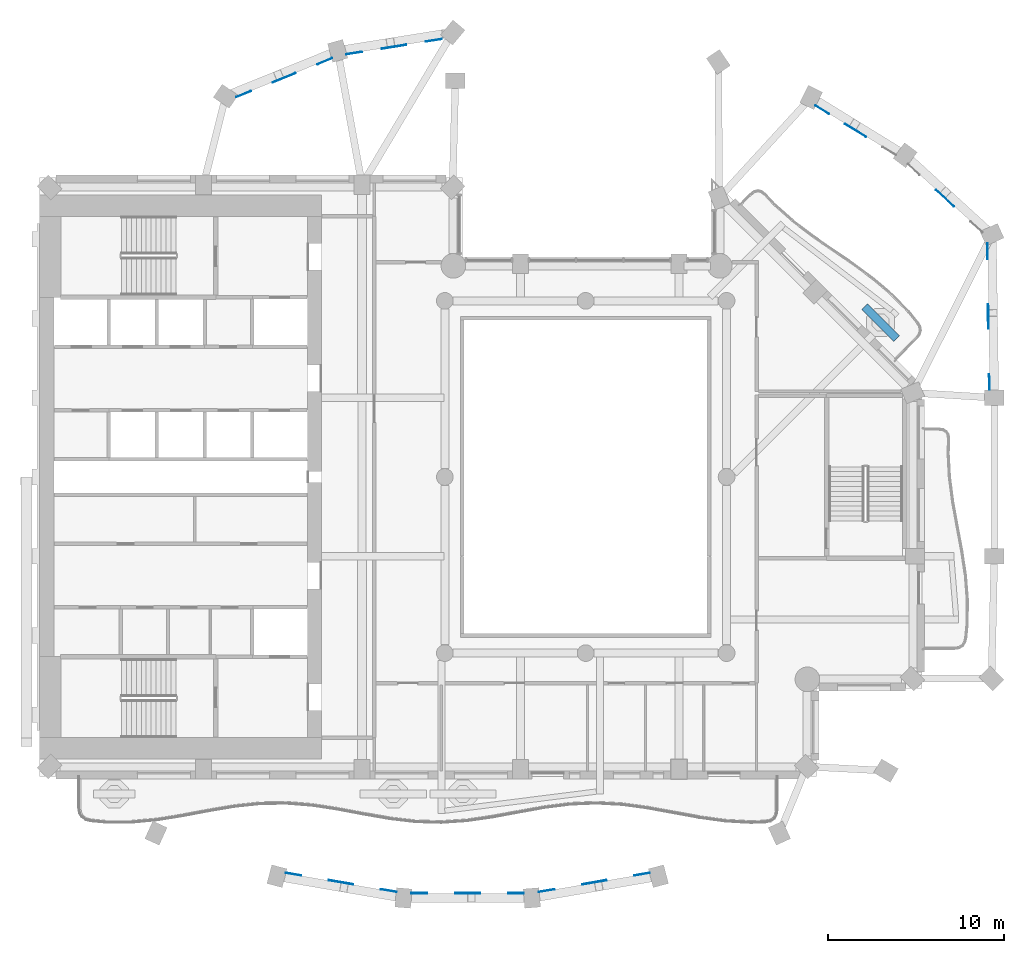
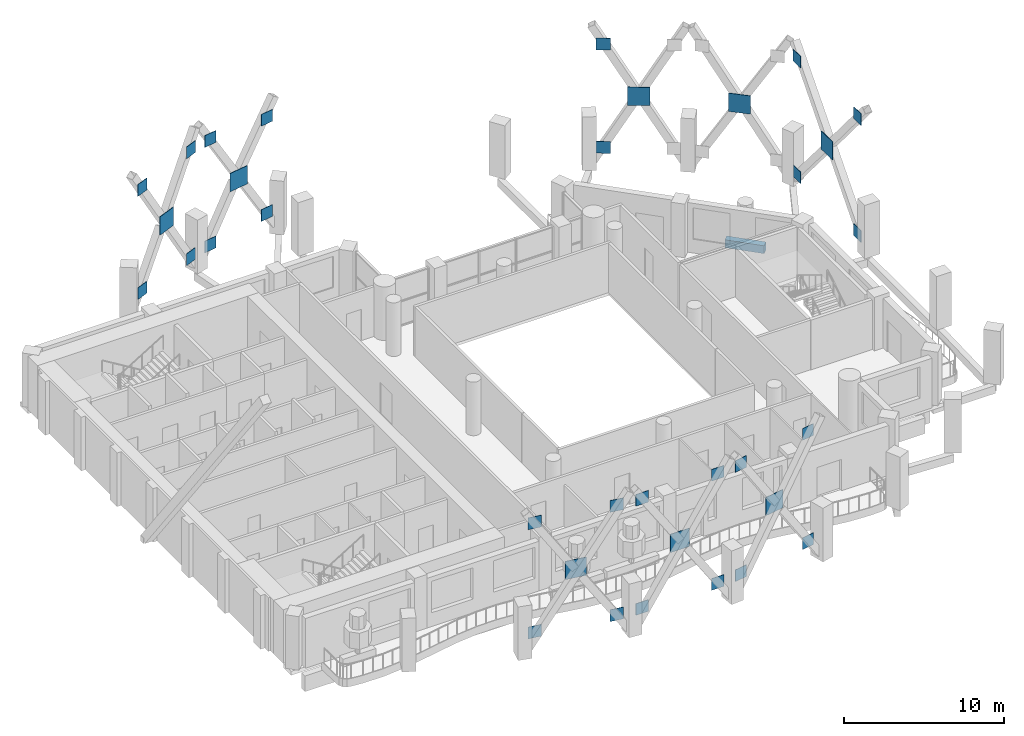
# One storey, part 7 of 17: 34 discrete accessories, 1 wall.
"""IFC4 building model written with IfcOpenShell, lengths in metres."""

from ifc_helpers import new_model, si_unit, direction, frame, frame_2d, origin, origin_2d, place, context, subcontext, project, spatial, rectangle, extrude, material, layer, layer_set, material_profile, profile_set, type_object, element, save


model = new_model("IFC4")

# Units and contexts
model_context = context("Model", 3, precision=1e-05, world=origin(), true_north=direction((0.0, 1.0)))
body_context = subcontext(model_context, "Body", "Model", "MODEL_VIEW")
ifc_project = project(units=[si_unit("LENGTHUNIT", "METRE"), si_unit("AREAUNIT", "SQUARE_METRE"), si_unit("VOLUMEUNIT", "CUBIC_METRE"), si_unit("PLANEANGLEUNIT", "RADIAN"), si_unit("MASSUNIT", "GRAM", prefix="KILO")], contexts=[model_context])

# Site, building, storey
site_placement = place(None, origin())
site = spatial("IfcSite", under=ifc_project, at=site_placement, CompositionType="ELEMENT")
building_placement = place(site_placement, origin())
building = spatial("IfcBuilding", under=site, at=building_placement, Name="Cypress Arch Tower", CompositionType="ELEMENT")
storey_placement = place(building_placement, frame((0.0, 0.0, 217.89990234375)))
storey = spatial("IfcBuildingStorey", under=building, at=storey_placement, Name="L48", CompositionType="ELEMENT", Elevation=217.89990234375)

# Wall
ifc_material_1 = material(Name="Concrete C40/50, waterproofed", Category="concrete")
ifc_layer = layer(ifc_material_1, 0.449951171875)
ifc_layer_set = layer_set([ifc_layer], Name="Balcony planter wall PW450")
wall_type = type_object("IfcWallType", Name="Balcony planter wall PW450", PredefinedType="SOLIDWALL", material=ifc_layer_set)
wall_placement = place(storey_placement, frame((18.650390625, 7.86376953125, 0.0), z_axis=(0.0, 0.0, 1.0), x_axis=(-0.707059037574, 0.707154521576, 0.0)))
element("IfcWall", 1, at=wall_placement, inside=storey, type_object=wall_type, Name="Balcony planter wall L48-B05.1", PredefinedType="SOLIDWALL", context=body_context, shape_type="SweptSolid", body=[
    extrude(rectangle(XDim=2.556884765625, YDim=0.449951171875, at=frame_2d((1.2783203125, 0.0))), origin(), (0.0, 0.0, 1.0), 0.60009765625),
])

# Discrete accessories
ifc_material_2 = material(Name="Steel ASTM A992", Category="steel")
ifc_material_profile_1 = material_profile(ifc_material_2, rectangle(XDim=0.89990234375, YDim=0.89990234375, at=origin_2d()), Name="PL 30 900x900")
ifc_profile_set_1 = profile_set([ifc_material_profile_1], Name="Steel ASTM A992")
discrete_accessory_type_1 = type_object("IfcDiscreteAccessoryType", Name="Gusset plate 900x900x30 Steel ASTM A992", PredefinedType="ANCHORPLATE", material=ifc_profile_set_1)
discrete_accessory_1_placement = place(storey_placement, frame((-7.630859375, 24.806396484375, 1.907470703125), z_axis=(0.15512400912, -0.987895005451, 0.0), x_axis=(0.987895005451, 0.15512400912, 0.0)))
element("IfcDiscreteAccessory", 2, at=discrete_accessory_1_placement, inside=storey, type_object=discrete_accessory_type_1, Name="Gusset plate L48 CQ02-CQ03u0", PredefinedType="ANCHORPLATE", context=body_context, shape_type="SweptSolid", body=[
    extrude(rectangle(XDim=0.89990234375, YDim=0.89990234375, at=origin_2d()), origin(), (0.0, 0.0, 1.0), 0.02978515625),
])
discrete_accessory_2_placement = place(storey_placement, frame((-12.149658203125, 24.0849609375, 9.585205078125), z_axis=(0.153882731479, -0.98808911792, 0.0), x_axis=(0.98808911792, 0.153882731479, 0.0)))
element("IfcDiscreteAccessory", 3, at=discrete_accessory_2_placement, inside=storey, type_object=discrete_accessory_type_1, Name="Gusset plate L48 CQ02-CQ03u1", PredefinedType="ANCHORPLATE", context=body_context, shape_type="SweptSolid", body=[
    extrude(rectangle(XDim=0.89990234375, YDim=0.89990234375, at=origin_2d()), origin(), (0.0, 0.0, 1.0), 0.030029296875),
])
discrete_accessory_3_placement = place(storey_placement, frame((-7.630859375, 24.806396484375, 9.192626953125), z_axis=(0.15512400912, -0.987895005451, 0.0), x_axis=(0.987895005451, 0.15512400912, 0.0)))
element("IfcDiscreteAccessory", 4, at=discrete_accessory_3_placement, inside=storey, type_object=discrete_accessory_type_1, Name="Gusset plate L48 CQ02-CQ03d0", PredefinedType="ANCHORPLATE", context=body_context, shape_type="SweptSolid", body=[
    extrude(rectangle(XDim=0.89990234375, YDim=0.89990234375, at=origin_2d()), origin(), (0.0, 0.0, 1.0), 0.02978515625),
])
for number, where, z_axis, x_axis, name in (
    (5, (-12.149658203125, 24.0849609375, 1.514892578125), (0.153882731479, -0.98808911792, 0.0), (0.98808911792, 0.153882731479, 0.0), "Gusset plate L48 CQ02-CQ03d1"),
    (6, (-13.822998046875, 23.618896484375, 1.46044921875), (0.381157654408, -0.924510055373, 0.0), (0.924510055373, 0.381157654408, 0.0), "Gusset plate L48 CQ03-CQ04u0"),
    (7, (-18.429443359375, 21.7529296875, 9.49951171875), (0.374194034192, -0.927350432563, 0.0), (0.927350432563, 0.374194034192, 0.0), "Gusset plate L48 CQ03-CQ04u1"),
    (8, (-13.822998046875, 23.618896484375, 9.6396484375), (0.381157654408, -0.924510055373, 0.0), (0.924510055373, 0.381157654408, 0.0), "Gusset plate L48 CQ03-CQ04d0"),
    (9, (-18.429443359375, 21.7529296875, 1.6005859375), (0.374194034192, -0.927350432563, 0.0), (0.927350432563, 0.374194034192, 0.0), "Gusset plate L48 CQ03-CQ04d1"),
    (10, (-15.59716796875, -22.56884765625, 1.37255859375), (0.163076596924, 0.986613411391, 0.0), (-0.986613411391, 0.163076596924, 0.0), "Gusset plate L48 CQ06-CQ07u0"),
    (11, (-10.188232421875, -23.500244140625, 9.7275390625), (0.170997525788, 0.985271458114, 0.0), (-0.985271458114, 0.170997525788, 0.0), "Gusset plate L48 CQ06-CQ07u1"),
    (12, (-15.59716796875, -22.56884765625, 9.7275390625), (0.163076596924, 0.986613411391, 0.0), (-0.986613411391, 0.163076596924, 0.0), "Gusset plate L48 CQ06-CQ07d0"),
    (13, (-10.188232421875, -23.500244140625, 1.37255859375), (0.170997525788, 0.985271458114, 0.0), (-0.985271458114, 0.170997525788, 0.0), "Gusset plate L48 CQ06-CQ07d1"),
    (14, (-8.441162109375, -23.649658203125, 1.373779296875), (0.0, 1.0, 0.0), (-1.0, 0.0, 0.0), "Gusset plate L48 CQ07-CQ08u0"),
    (15, (-2.958984375, -23.649658203125, 9.726318359375), (0.0, 1.0, 0.0), (-1.0, 0.0, 0.0), "Gusset plate L48 CQ07-CQ08u1"),
    (16, (-8.441162109375, -23.649658203125, 9.726318359375), (0.0, 1.0, 0.0), (-1.0, 0.0, 0.0), "Gusset plate L48 CQ07-CQ08d0"),
    (17, (-2.958984375, -23.649658203125, 1.373779296875), (0.0, 1.0, 0.0), (-1.0, 0.0, 0.0), "Gusset plate L48 CQ07-CQ08d1"),
    (18, (-1.2119140625, -23.500244140625, 1.37255859375), (-0.170997525788, 0.985271458114, 0.0), (-0.985271458114, -0.170997525788, 0.0), "Gusset plate L48 CQ08-CQ09u0"),
    (19, (4.197265625, -22.56884765625, 9.7275390625), (-0.170997525788, 0.985271458114, 0.0), (-0.985271458114, -0.170997525788, 0.0), "Gusset plate L48 CQ08-CQ09u1"),
    (20, (-1.2119140625, -23.500244140625, 9.7275390625), (-0.170997525788, 0.985271458114, 0.0), (-0.985271458114, -0.170997525788, 0.0), "Gusset plate L48 CQ08-CQ09d0"),
    (21, (4.197265625, -22.56884765625, 1.37255859375), (-0.170997525788, 0.985271458114, 0.0), (-0.985271458114, -0.170997525788, 0.0), "Gusset plate L48 CQ08-CQ09d1"),
    (22, (23.932861328125, 5.396240234375, 1.078857421875), (-0.999867829764, -0.016258013492, 0.0), (0.016258013492, -0.999867829764, 0.0), "Gusset plate L48 CQ14-CQ15u0"),
    (23, (23.82373046875, 12.8154296875, 9.97314453125), (-0.999867829764, -0.016258013492, 0.0), (0.016258013492, -0.999867829764, 0.0), "Gusset plate L48 CQ14-CQ15u1"),
    (24, (23.932861328125, 5.396240234375, 10.021240234375), (-0.999867829764, -0.016258013492, 0.0), (0.016258013492, -0.999867829764, 0.0), "Gusset plate L48 CQ14-CQ15d0"),
    (25, (23.82373046875, 12.8154296875, 1.126953125), (-0.999867829764, -0.016258013492, 0.0), (0.016258013492, -0.999867829764, 0.0), "Gusset plate L48 CQ14-CQ15d1"),
):
    element("IfcDiscreteAccessory", number, at=place(storey_placement, frame(where, z_axis=z_axis, x_axis=x_axis)), inside=storey, type_object=discrete_accessory_type_1, Name=name, PredefinedType="ANCHORPLATE", context=body_context, shape_type="SweptSolid", body=[
        extrude(rectangle(XDim=0.89990234375, YDim=0.89990234375, at=origin_2d()), origin(), (0.0, 0.0, 1.0), 0.030029296875),
    ])
for number, where, z_axis, x_axis, name in (
    (26, (14.43798828125, 20.8603515625, 9.502197265625), (-0.524097425664, -0.851658316705, 0.0), (0.851658316705, -0.524097425664, 0.0), "Gusset plate L48 CQ16-CQ17u1"),
    (27, (14.43798828125, 20.8603515625, 1.597900390625), (-0.524097425664, -0.851658316705, 0.0), (0.851658316705, -0.524097425664, 0.0), "Gusset plate L48 CQ16-CQ17d1"),
):
    element("IfcDiscreteAccessory", number, at=place(storey_placement, frame(where, z_axis=z_axis, x_axis=x_axis)), inside=storey, type_object=discrete_accessory_type_1, Name=name, PredefinedType="ANCHORPLATE", context=body_context, shape_type="SweptSolid", body=[
        extrude(rectangle(XDim=0.89990234375, YDim=0.89990234375, at=origin_2d()), origin(), (0.0, 0.0, 1.0), 0.02978515625),
    ])
ifc_material_3 = material(Name="Steel ASTM A992", Category="steel")
ifc_material_profile_2 = material_profile(ifc_material_3, rectangle(XDim=1.39990234375, YDim=1.39990234375, at=origin_2d()), Name="PL 40 1400x1400")
ifc_profile_set_2 = profile_set([ifc_material_profile_2], Name="Steel ASTM A992")
discrete_accessory_type_2 = type_object("IfcDiscreteAccessoryType", Name="Node plate 1400x1400x40 Steel ASTM A992", PredefinedType="ANCHORPLATE", material=ifc_profile_set_2)
discrete_accessory_4_placement = place(storey_placement, frame((-9.890380859375, 24.445556640625, 5.550048828125), z_axis=(0.159425218663, -0.987210007878, 0.0), x_axis=(0.987210007878, 0.159425218663, 0.0)))
element("IfcDiscreteAccessory", 28, at=discrete_accessory_4_placement, inside=storey, type_object=discrete_accessory_type_2, Name="Node plate L48 CQ02-CQ03", PredefinedType="ANCHORPLATE", context=body_context, shape_type="SweptSolid", body=[
    extrude(rectangle(XDim=1.39990234375, YDim=1.39990234375, at=origin_2d()), origin(), (0.0, 0.0, 1.0), 0.039794921875),
])
for number, where, z_axis, x_axis, name in (
    (29, (-16.126220703125, 22.68603515625, 5.550048828125), (0.377683854905, -0.925934612024, 0.0), (0.925934612024, 0.377683854905, 0.0), "Node plate L48 CQ03-CQ04"),
    (30, (-12.892822265625, -23.03466796875, 5.550048828125), (0.170314285219, 0.985389793052, 0.0), (-0.985389793052, 0.170314285219, 0.0), "Node plate L48 CQ06-CQ07"),
    (31, (-5.699951171875, -23.649658203125, 5.550048828125), (0.0, 1.0, 0.0), (-1.0, 0.0, 0.0), "Node plate L48 CQ07-CQ08"),
    (32, (1.49267578125, -23.03466796875, 5.550048828125), (-0.170314285219, 0.985389793052, 0.0), (-0.985389793052, -0.170314285219, 0.0), "Node plate L48 CQ08-CQ09"),
):
    element("IfcDiscreteAccessory", number, at=place(storey_placement, frame(where, z_axis=z_axis, x_axis=x_axis)), inside=storey, type_object=discrete_accessory_type_2, Name=name, PredefinedType="ANCHORPLATE", context=body_context, shape_type="SweptSolid", body=[
        extrude(rectangle(XDim=1.39990234375, YDim=1.39990234375, at=origin_2d()), origin(), (0.0, 0.0, 1.0), 0.0400390625),
    ])
discrete_accessory_5_placement = place(storey_placement, frame((23.878173828125, 9.105712890625, 5.550048828125), z_axis=(-0.999924732801, -0.012269015126, 0.0), x_axis=(0.012269015126, -0.999924732801, 0.0)))
element("IfcDiscreteAccessory", 33, at=discrete_accessory_5_placement, inside=storey, type_object=discrete_accessory_type_2, Name="Node plate L48 CQ14-CQ15", PredefinedType="ANCHORPLATE", context=body_context, shape_type="SweptSolid", body=[
    extrude(rectangle(XDim=1.39990234375, YDim=1.39990234375, at=origin_2d()), origin(), (0.0, 0.0, 1.0), 0.039794921875),
])
for number, where, z_axis, x_axis, name in (
    (34, (21.415771484375, 15.8388671875, 5.550048828125), (-0.676000359041, -0.736901292288, 0.0), (0.736901292288, -0.676000359041, 0.0), "Node plate L48 CQ15-CQ16"),
    (35, (16.337646484375, 19.692138671875, 5.550048828125), (-0.523418105875, -0.852075986308, 0.0), (0.852075986308, -0.523418105875, 0.0), "Node plate L48 CQ16-CQ17"),
):
    element("IfcDiscreteAccessory", number, at=place(storey_placement, frame(where, z_axis=z_axis, x_axis=x_axis)), inside=storey, type_object=discrete_accessory_type_2, Name=name, PredefinedType="ANCHORPLATE", context=body_context, shape_type="SweptSolid", body=[
        extrude(rectangle(XDim=1.39990234375, YDim=1.39990234375, at=origin_2d()), origin(), (0.0, 0.0, 1.0), 0.0400390625),
    ])

save(model, "model.ifc")
